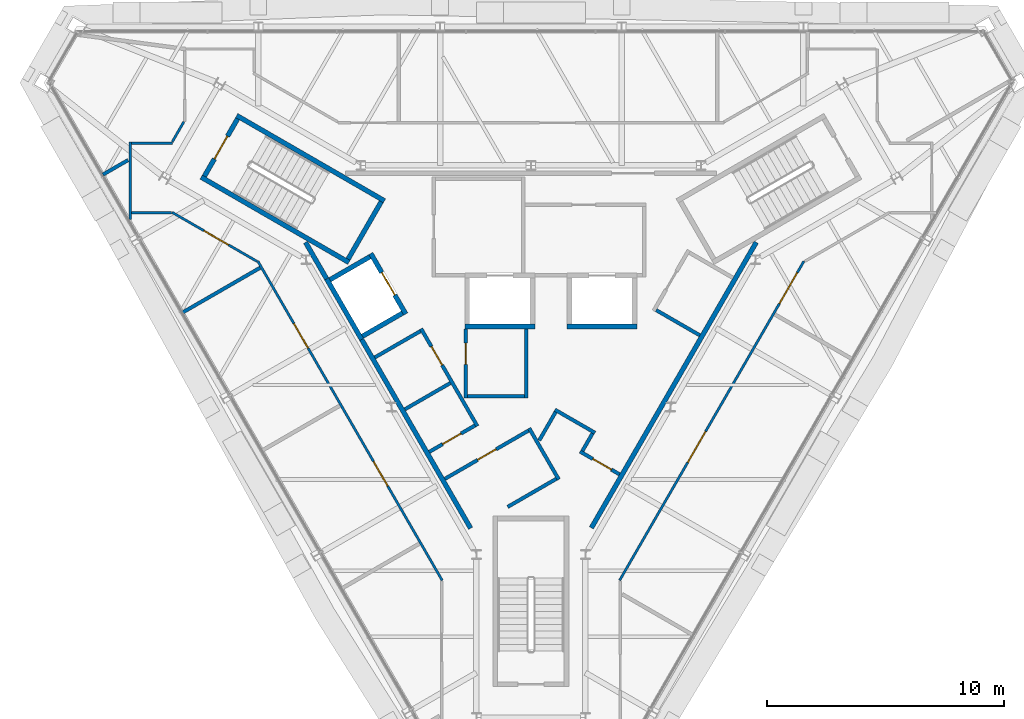
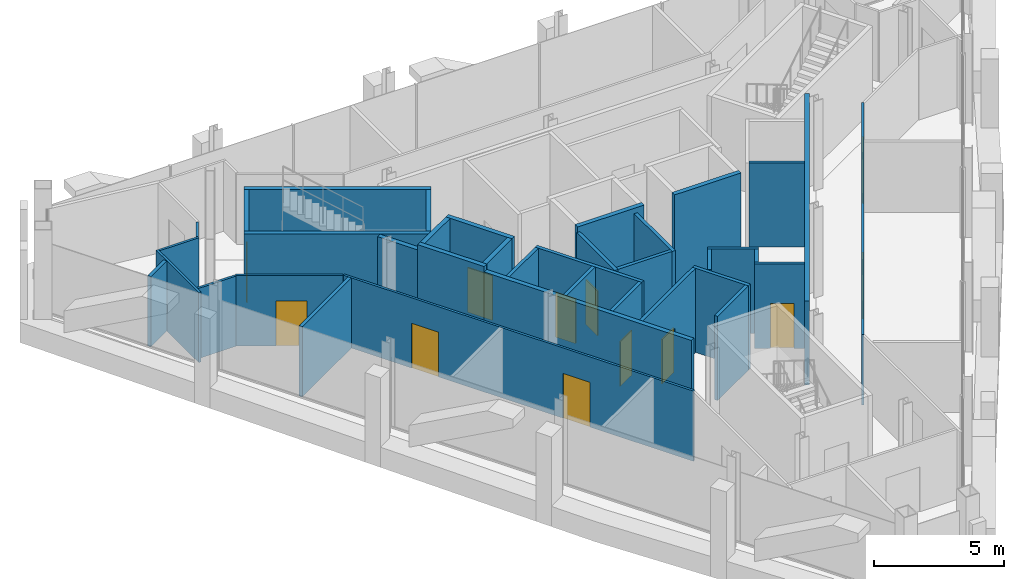
# One storey, part 9 of 13: 37 walls, 12 doors, 12 openings.
"""IFC4 building model written with IfcOpenShell, lengths in metres."""

from ifc_helpers import new_model, si_unit, direction, frame, frame_2d, origin, place, context, subcontext, project, spatial, rectangle, extrude, material, layer, layer_set, type_object, element, fill, save


model = new_model("IFC4")

# Units and contexts
model_context = context("Model", 3, precision=1e-05, world=origin(), true_north=direction((0.0, 1.0)))
body_context = subcontext(model_context, "Body", "Model", "MODEL_VIEW")
ifc_project = project(units=[si_unit("LENGTHUNIT", "METRE"), si_unit("AREAUNIT", "SQUARE_METRE"), si_unit("VOLUMEUNIT", "CUBIC_METRE"), si_unit("PLANEANGLEUNIT", "RADIAN"), si_unit("MASSUNIT", "GRAM", prefix="KILO")], contexts=[model_context])

# Site, building, storey
site_placement = place(None, origin())
site = spatial("IfcSite", under=ifc_project, at=site_placement, CompositionType="ELEMENT")
building_placement = place(site_placement, origin())
building = spatial("IfcBuilding", under=site, at=building_placement, Name="Verrane Prism Tower", CompositionType="ELEMENT")
storey_placement = place(building_placement, frame((0.0, 0.0, 325.199951171875)))
storey = spatial("IfcBuildingStorey", under=building, at=storey_placement, Name="L82", CompositionType="ELEMENT", Elevation=325.199951171875)

# Walls
ifc_material_1 = material(Name="Gypsum board partition", Category="other")
ifc_layer_1 = layer(ifc_material_1, 0.199951171875)
ifc_layer_set_1 = layer_set([ifc_layer_1], Name="CW-200 core boundary wall 2 h")
wall_type_1 = type_object("IfcWallType", Name="CW-200 core boundary wall 2 h", PredefinedType="PARTITIONING", material=ifc_layer_set_1)
wall_1_placement = place(storey_placement, frame((-9.509033203125, 3.550537109375, 0.0), z_axis=(0.0, 0.0, 1.0), x_axis=(0.499999136801, -0.866025902152, 0.0)))
element("IfcWall", 1, at=wall_1_placement, inside=storey, type_object=wall_type_1, Name="Core boundary wall CW3-001", PredefinedType="PARTITIONING", context=body_context, shape_type="SweptSolid", body=[
    extrude(rectangle(XDim=1.7822265625, YDim=0.199951171875, at=frame_2d((0.89111328125, 0.0))), origin(), (0.0, 0.0, 1.0), 3.949951171875),
])
wall_2_placement = place(storey_placement, frame((-7.14111328125, -0.551025390625, 0.0), z_axis=(0.0, 0.0, 1.0), x_axis=(0.499992795234, -0.866029563418, 0.0)))
element("IfcWall", 2, at=wall_2_placement, inside=storey, type_object=wall_type_1, Name="Core boundary wall CW3-003", PredefinedType="PARTITIONING", context=body_context, shape_type="SweptSolid", body=[
    extrude(rectangle(XDim=9.198486328125, YDim=0.199951171875, at=frame_2d((4.59912109375, 0.0))), origin(), (0.0, 0.0, 1.0), 3.949951171875),
])
wall_3_placement = place(storey_placement, frame((2.552001953125, -8.5, 0.0), z_axis=(0.0, 0.0, 1.0), x_axis=(0.499981156672, 0.866036282712, 0.0)))
element("IfcWall", 3, at=wall_3_placement, inside=storey, type_object=wall_type_1, Name="Core boundary wall CW3-004", PredefinedType="PARTITIONING", context=body_context, shape_type="SweptSolid", body=[
    extrude(rectangle(XDim=13.91455078125, YDim=0.199951171875, at=frame_2d((6.957275390625, 0.0))), origin(), (0.0, 0.0, 1.0), 3.949951171875),
])

# Wall, opening, door
ifc_material_2 = material(Name="Concrete C40/50", Category="concrete")
ifc_layer_2 = layer(ifc_material_2, 0.199951171875)
ifc_layer_set_2 = layer_set([ifc_layer_2], Name="CW-200 stair core wall concrete C40/50 3 h")
wall_type_2 = type_object("IfcWallType", Name="CW-200 stair core wall concrete C40/50 3 h", PredefinedType="PARTITIONING", material=ifc_layer_set_2)
wall_4_placement = place(storey_placement, frame((-12.376953125, 8.762451171875, 0.0), z_axis=(0.0, 0.0, 1.0), x_axis=(-0.500049511043, -0.865996816683, 0.0)))
wall_4 = element("IfcWall", 4, at=wall_4_placement, inside=storey, type_object=wall_type_2, Name="Stair 2 enclosure wall", PredefinedType="PARTITIONING", context=body_context, shape_type="SweptSolid", body=[
    extrude(rectangle(XDim=2.800048828125, YDim=0.199951171875, at=frame_2d((1.39990234375, 0.0))), origin(), (0.0, 0.0, 1.0), 3.949951171875),
])
opening_1_placement = place(wall_4_placement, frame((0.849853515625, 0.0, 0.0)))
opening_1 = element("IfcOpeningElement", 5, at=opening_1_placement, cuts=wall_4, Name="Opening D82501", PredefinedType="OPENING", context=body_context, shape_type="SweptSolid", body=[
    extrude(rectangle(XDim=1.10009765625, YDim=2.10009765625, at=frame_2d((0.550048828125, 1.050048828125))), frame((0.0, 0.10986328125, 0.0), z_axis=(0.0, -1.0, 0.0), x_axis=(1.0, 0.0, 0.0)), (0.0, 0.0, 1.0), 0.219970703125),
])
ifc_material_3 = material(Name="Timber veneered door leaf", Category="wood")
door_type_1 = type_object("IfcDoorType", Name="DR-1100x2100 FD90 single leaf stair", OperationType="NOTDEFINED", PredefinedType="DOOR", material=ifc_material_3)
door_1_placement = place(opening_1_placement, origin())
door_1 = element("IfcDoor", 6, at=door_1_placement, inside=storey, type_object=door_type_1, Name="Stair 2 door", OperationType="SINGLE_SWING_RIGHT", OverallHeight=2.10009765625, OverallWidth=1.10009765625, PredefinedType="DOOR", context=body_context, shape_type="SweptSolid", body=[
    extrude(rectangle(XDim=1.10009765625, YDim=2.10009765625, at=frame_2d((0.550048828125, 1.050048828125))), frame((0.0, 0.02490234375, 0.0), z_axis=(0.0, -1.0, 0.0), x_axis=(1.0, 0.0, 0.0)), (0.0, 0.0, 1.0), 0.050048828125),
])
fill(opening_1, door_1)

# Walls
for number, where, z_axis, x_axis, name in (
    (7, (-7.67822265625, 2.700927734375, 0.0), (0.0, 0.0, 1.0), (-0.866018442252, 0.500012057535, 0.0), "Stair 2 enclosure wall"),
    (8, (-6.17822265625, 5.299072265625, 0.0), (0.0, 0.0, 1.0), (-0.866033125095, 0.499986626058, 0.0), "Stair 2 enclosure wall"),
):
    element("IfcWall", number, at=place(storey_placement, frame(where, z_axis=z_axis, x_axis=x_axis)), inside=storey, type_object=wall_type_2, Name=name, PredefinedType="PARTITIONING", context=body_context, shape_type="SweptSolid", body=[
        extrude(rectangle(XDim=7.199951171875, YDim=0.199951171875, at=frame_2d((3.60009765625, 0.0))), origin(), (0.0, 0.0, 1.0), 3.949951171875),
    ])
wall_5_placement = place(storey_placement, frame((-6.314697265625, 5.262451171875, 0.0), z_axis=(0.0, 0.0, 1.0), x_axis=(-0.500049511043, -0.865996816683, 0.0)))
element("IfcWall", 9, at=wall_5_placement, inside=storey, type_object=wall_type_2, Name="Stair 2 enclosure wall", PredefinedType="PARTITIONING", context=body_context, shape_type="SweptSolid", body=[
    extrude(rectangle(XDim=2.800048828125, YDim=0.199951171875, at=frame_2d((1.39990234375, 0.0))), origin(), (0.0, 0.0, 1.0), 3.949951171875),
])
ifc_material_4 = material(Name="Gypsum board shaft wall assembly", Category="other")
ifc_layer_3 = layer(ifc_material_4, 0.199951171875)
ifc_layer_set_3 = layer_set([ifc_layer_3], Name="HW-200 lift shaft wall 2 h")
wall_type_3 = type_object("IfcWallType", Name="HW-200 lift shaft wall 2 h", PredefinedType="PARTITIONING", material=ifc_layer_set_3)
wall_6_placement = place(storey_placement, frame((-2.784912109375, 0.0, 0.0), z_axis=(0.0, 0.0, 1.0), x_axis=(1.0, 0.0, 0.0)))
element("IfcWall", 10, at=wall_6_placement, inside=storey, type_object=wall_type_3, Name="Lift shaft wall", PredefinedType="PARTITIONING", context=body_context, shape_type="SweptSolid", body=[
    extrude(rectangle(XDim=2.949951171875, YDim=0.199951171875, at=frame_2d((1.47509765625, 0.0))), origin(), (0.0, 0.0, 1.0), 4.199951171875),
])
wall_7_placement = place(storey_placement, frame((1.52490234375, 0.0, 0.0), z_axis=(0.0, 0.0, 1.0), x_axis=(1.0, 0.0, 0.0)))
element("IfcWall", 11, at=wall_7_placement, inside=storey, type_object=wall_type_3, Name="Lift shaft wall", PredefinedType="PARTITIONING", context=body_context, shape_type="SweptSolid", body=[
    extrude(rectangle(XDim=2.9501953125, YDim=0.199951171875, at=frame_2d((1.47509765625, 0.0))), origin(), (0.0, 0.0, 1.0), 4.199951171875),
])
for number, where, z_axis, x_axis, name in (
    (12, (-7.10546875, -0.4130859375, 0.0), (0.0, 0.0, 1.0), (0.866000020948, 0.500043961785, 0.0), "Lift shaft wall"),
    (13, (-8.48046875, 1.968505859375, 0.0), (0.0, 0.0, 1.0), (0.866000020948, 0.500043961785, 0.0), "Lift shaft wall"),
):
    element("IfcWall", number, at=place(storey_placement, frame(where, z_axis=z_axis, x_axis=x_axis)), inside=storey, type_object=wall_type_3, Name=name, PredefinedType="PARTITIONING", context=body_context, shape_type="SweptSolid", body=[
        extrude(rectangle(XDim=1.949951171875, YDim=0.199951171875, at=frame_2d((0.97509765625, 0.0))), origin(), (0.0, 0.0, 1.0), 4.199951171875),
    ])

# Wall, opening, door
wall_8_placement = place(storey_placement, frame((-5.280029296875, 0.525390625, 0.0), z_axis=(0.0, 0.0, 1.0), x_axis=(-0.500037662692, 0.866003658127, 0.0)))
wall_8 = element("IfcWall", 14, at=wall_8_placement, inside=storey, type_object=wall_type_3, Name="Lift shaft wall", PredefinedType="PARTITIONING", context=body_context, shape_type="SweptSolid", body=[
    extrude(rectangle(XDim=2.949951171875, YDim=0.199951171875, at=frame_2d((1.47509765625, 0.0))), origin(), (0.0, 0.0, 1.0), 4.199951171875),
])
opening_2_placement = place(wall_8_placement, frame((0.925048828125, 0.0, 0.0)))
opening_2 = element("IfcOpeningElement", 15, at=opening_2_placement, cuts=wall_8, Name="Opening D82505", PredefinedType="OPENING", context=body_context, shape_type="SweptSolid", body=[
    extrude(rectangle(XDim=1.10009765625, YDim=2.10009765625, at=frame_2d((0.550048828125, 1.050048828125))), frame((0.0, 0.10986328125, 0.0), z_axis=(0.0, -1.0, 0.0), x_axis=(1.0, 0.0, 0.0)), (0.0, 0.0, 1.0), 0.219970703125),
])
ifc_material_5 = material(Name="Stainless steel sliding landing door", Category="steel")
door_type_2 = type_object("IfcDoorType", Name="LD-1100x2100 lift landing door FD90 sliding", OperationType="NOTDEFINED", PredefinedType="DOOR", material=ifc_material_5)
door_2_placement = place(opening_2_placement, origin())
door_2 = element("IfcDoor", 16, at=door_2_placement, inside=storey, type_object=door_type_2, Name="Service lift 1 landing door", OperationType="SLIDING_TO_LEFT", OverallHeight=2.10009765625, OverallWidth=1.10009765625, PredefinedType="DOOR", context=body_context, shape_type="SweptSolid", body=[
    extrude(rectangle(XDim=1.10009765625, YDim=2.10009765625, at=frame_2d((0.550048828125, 1.050048828125))), frame((0.0, 0.02490234375, 0.0), z_axis=(0.0, -1.0, 0.0), x_axis=(1.0, 0.0, 0.0)), (0.0, 0.0, 1.0), 0.050048828125),
])
fill(opening_2, door_2)

# Walls
wall_9_placement = place(storey_placement, frame((-7.14208984375, -0.549560546875, 0.0), z_axis=(0.0, 0.0, 1.0), x_axis=(-0.49997559174, 0.866039495442, 0.0)))
element("IfcWall", 17, at=wall_9_placement, inside=storey, type_object=wall_type_3, Name="Lift shaft wall", PredefinedType="PARTITIONING", context=body_context, shape_type="SweptSolid", body=[
    extrude(rectangle(XDim=2.949951171875, YDim=0.199951171875, at=frame_2d((1.47509765625, 0.0))), origin(), (0.0, 0.0, 1.0), 4.199951171875),
])
ifc_material_6 = material(Name="Gypsum board partition", Category="other")
ifc_layer_4 = layer(ifc_material_6, 0.10009765625)
ifc_layer_set_4 = layer_set([ifc_layer_4], Name="PW-100 crown corridor wall 1 h")
wall_type_4 = type_object("IfcWallType", Name="PW-100 crown corridor wall 1 h", PredefinedType="PARTITIONING", material=ifc_layer_set_4)
wall_10_placement = place(storey_placement, frame((-16.908935546875, 4.506591796875, 0.0), z_axis=(0.0, 0.0, 1.0), x_axis=(0.0, 1.0, 0.0)))
element("IfcWall", 18, at=wall_10_placement, inside=storey, type_object=wall_type_4, Name="Corridor wall 003", PredefinedType="PARTITIONING", context=body_context, shape_type="SweptSolid", body=[
    extrude(rectangle(XDim=3.2724609375, YDim=0.10009765625, at=frame_2d((1.63623046875, 0.0))), origin(), (0.0, 0.0, 1.0), 3.297119140625),
])
wall_11_placement = place(storey_placement, frame((-16.85888671875, 4.791015625, 0.0), z_axis=(0.0, 0.0, 1.0), x_axis=(1.0, 0.0, 0.0)))
element("IfcWall", 19, at=wall_11_placement, inside=storey, type_object=wall_type_4, Name="Corridor wall 004", PredefinedType="PARTITIONING", context=body_context, shape_type="SweptSolid", body=[
    extrude(rectangle(XDim=1.69091796875, YDim=0.10009765625, at=frame_2d((0.845458984375, 0.0))), origin(), (0.0, 0.0, 1.0), 3.297119140625),
])
wall_12_placement = place(storey_placement, frame((-16.85888671875, 7.72900390625, 0.0), z_axis=(0.0, 0.0, 1.0), x_axis=(1.0, 0.0, 0.0)))
element("IfcWall", 20, at=wall_12_placement, inside=storey, type_object=wall_type_4, Name="Corridor wall 005", PredefinedType="PARTITIONING", context=body_context, shape_type="SweptSolid", body=[
    extrude(rectangle(XDim=1.741943359375, YDim=0.10009765625, at=frame_2d((0.87109375, 0.0))), origin(), (0.0, 0.0, 1.0), 3.297119140625),
])
wall_13_placement = place(storey_placement, frame((-15.132080078125, 7.78955078125, 0.0), z_axis=(0.0, 0.0, 1.0), x_axis=(0.499823463829, 0.866127303003, 0.0)))
element("IfcWall", 21, at=wall_13_placement, inside=storey, type_object=wall_type_4, Name="Corridor wall 006", PredefinedType="PARTITIONING", context=body_context, shape_type="SweptSolid", body=[
    extrude(rectangle(XDim=0.976318359375, YDim=0.10009765625, at=frame_2d((0.48828125, 0.0))), origin(), (0.0, 0.0, 1.0), 3.297119140625),
])

# Wall, opening, door
wall_14_placement = place(storey_placement, frame((-11.556640625, 2.74609375, 0.0), z_axis=(0.0, 0.0, 1.0), x_axis=(-0.866005840187, 0.500033883614, 0.0)))
wall_14 = element("IfcWall", 22, at=wall_14_placement, inside=storey, type_object=wall_type_4, Name="Corridor wall 007", PredefinedType="PARTITIONING", context=body_context, shape_type="SweptSolid", body=[
    extrude(rectangle(XDim=4.139404296875, YDim=0.10009765625, at=frame_2d((2.06982421875, 0.0))), origin(), (0.0, 0.0, 1.0), 3.297119140625),
])
opening_3_placement = place(wall_14_placement, frame((1.389404296875, 0.0, 0.0)))
opening_3 = element("IfcOpeningElement", 23, at=opening_3_placement, cuts=wall_14, Name="Opening D82005", PredefinedType="OPENING", context=body_context, shape_type="SweptSolid", body=[
    extrude(rectangle(XDim=1.199951171875, YDim=2.10009765625, at=frame_2d((0.60009765625, 1.050048828125))), frame((0.0, 0.06005859375, 0.0), z_axis=(0.0, -1.0, 0.0), x_axis=(1.0, 0.0, 0.0)), (0.0, 0.0, 1.0), 0.1201171875),
])
ifc_material_7 = material(Name="Timber veneered door leaf", Category="wood")
door_type_3 = type_object("IfcDoorType", Name="DR-1200x2100 FD60 single leaf unit", OperationType="NOTDEFINED", PredefinedType="DOOR", material=ifc_material_7)
door_3_placement = place(opening_3_placement, origin())
door_3 = element("IfcDoor", 24, at=door_3_placement, inside=storey, type_object=door_type_3, Name="Building Maintenance Unit Room door", OperationType="SINGLE_SWING_RIGHT", OverallHeight=2.10009765625, OverallWidth=1.199951171875, PredefinedType="DOOR", context=body_context, shape_type="SweptSolid", body=[
    extrude(rectangle(XDim=1.199951171875, YDim=2.10009765625, at=frame_2d((0.60009765625, 1.050048828125))), frame((0.0, 0.02490234375, 0.0), z_axis=(0.0, -1.0, 0.0), x_axis=(1.0, 0.0, 0.0)), (0.0, 0.0, 1.0), 0.050048828125),
])
fill(opening_3, door_3)

# Wall, openings, doors
wall_15_placement = place(storey_placement, frame((-3.743896484375, -10.71435546875, 0.0), z_axis=(0.0, 0.0, 1.0), x_axis=(-0.500044034969, 0.86599997869, 0.0)))
wall_15 = element("IfcWall", 25, at=wall_15_placement, inside=storey, type_object=wall_type_4, Name="Corridor wall 013", PredefinedType="PARTITIONING", context=body_context, shape_type="SweptSolid", body=[
    extrude(rectangle(XDim=15.552734375, YDim=0.10009765625, at=frame_2d((7.7763671875, 0.0))), origin(), (0.0, 0.0, 1.0), 3.297119140625),
])
opening_4_placement = place(wall_15_placement, frame((11.313720703125, 0.0, 0.0)))
opening_4 = element("IfcOpeningElement", 26, at=opening_4_placement, cuts=wall_15, Name="Opening D82006", PredefinedType="OPENING", context=body_context, shape_type="SweptSolid", body=[
    extrude(rectangle(XDim=1.199951171875, YDim=2.10009765625, at=frame_2d((0.60009765625, 1.050048828125))), frame((0.0, 0.06005859375, 0.0), z_axis=(0.0, -1.0, 0.0), x_axis=(1.0, 0.0, 0.0)), (0.0, 0.0, 1.0), 0.1201171875),
])
opening_5_placement = place(wall_15_placement, frame((4.5927734375, 0.0, 0.0)))
opening_5 = element("IfcOpeningElement", 27, at=opening_5_placement, cuts=wall_15, Name="Opening D82007", PredefinedType="OPENING", context=body_context, shape_type="SweptSolid", body=[
    extrude(rectangle(XDim=1.199951171875, YDim=2.10009765625, at=frame_2d((0.60009765625, 1.050048828125))), frame((0.0, 0.06005859375, 0.0), z_axis=(0.0, -1.0, 0.0), x_axis=(1.0, 0.0, 0.0)), (0.0, 0.0, 1.0), 0.1201171875),
])
door_4_placement = place(opening_4_placement, origin())
door_4 = element("IfcDoor", 28, at=door_4_placement, inside=storey, type_object=door_type_3, Name="Building Maintenance Unit Room door", OperationType="SINGLE_SWING_LEFT", OverallHeight=2.10009765625, OverallWidth=1.199951171875, PredefinedType="DOOR", context=body_context, shape_type="SweptSolid", body=[
    extrude(rectangle(XDim=1.199951171875, YDim=2.10009765625, at=frame_2d((0.60009765625, 1.050048828125))), frame((0.0, 0.02490234375, 0.0), z_axis=(0.0, -1.0, 0.0), x_axis=(1.0, 0.0, 0.0)), (0.0, 0.0, 1.0), 0.050048828125),
])
fill(opening_4, door_4)
door_5_placement = place(opening_5_placement, origin())
door_5 = element("IfcDoor", 29, at=door_5_placement, inside=storey, type_object=door_type_3, Name="Building Maintenance Unit Room door", OperationType="SINGLE_SWING_RIGHT", OverallHeight=2.10009765625, OverallWidth=1.199951171875, PredefinedType="DOOR", context=body_context, shape_type="SweptSolid", body=[
    extrude(rectangle(XDim=1.199951171875, YDim=2.10009765625, at=frame_2d((0.60009765625, 1.050048828125))), frame((0.0, 0.02490234375, 0.0), z_axis=(0.0, -1.0, 0.0), x_axis=(1.0, 0.0, 0.0)), (0.0, 0.0, 1.0), 0.050048828125),
])
fill(opening_5, door_5)

wall_16_placement = place(storey_placement, frame((11.52099609375, 2.75439453125, 0.0), z_axis=(0.0, 0.0, 1.0), x_axis=(-0.500044034969, -0.86599997869, 0.0)))
wall_16 = element("IfcWall", 30, at=wall_16_placement, inside=storey, type_object=wall_type_4, Name="Corridor wall 024", PredefinedType="PARTITIONING", context=body_context, shape_type="SweptSolid", body=[
    extrude(rectangle(XDim=15.552734375, YDim=0.10009765625, at=frame_2d((7.7763671875, 0.0))), origin(), (0.0, 0.0, 1.0), 3.297119140625),
])
opening_6_placement = place(wall_16_placement, frame((8.302734375, 0.0, 0.0)))
opening_6 = element("IfcOpeningElement", 31, at=opening_6_placement, cuts=wall_16, Name="Opening D82011", PredefinedType="OPENING", context=body_context, shape_type="SweptSolid", body=[
    extrude(rectangle(XDim=1.5, YDim=2.10009765625, at=frame_2d((0.75, 1.050048828125))), frame((0.0, 0.06005859375, 0.0), z_axis=(0.0, -1.0, 0.0), x_axis=(1.0, 0.0, 0.0)), (0.0, 0.0, 1.0), 0.1201171875),
])
opening_7_placement = place(wall_16_placement, frame((0.560546875, 0.0, 0.0)))
opening_7 = element("IfcOpeningElement", 32, at=opening_7_placement, cuts=wall_16, Name="Opening D82012", PredefinedType="OPENING", context=body_context, shape_type="SweptSolid", body=[
    extrude(rectangle(XDim=1.5, YDim=2.10009765625, at=frame_2d((0.75, 1.050048828125))), frame((0.0, 0.06005859375, 0.0), z_axis=(0.0, -1.0, 0.0), x_axis=(1.0, 0.0, 0.0)), (0.0, 0.0, 1.0), 0.1201171875),
])
ifc_material_8 = material(Name="Timber veneered door leaf", Category="wood")
door_type_4 = type_object("IfcDoorType", Name="DR-1500x2100 FD60 double leaf unit", OperationType="NOTDEFINED", PredefinedType="DOOR", material=ifc_material_8)
door_6_placement = place(opening_6_placement, origin())
door_6 = element("IfcDoor", 33, at=door_6_placement, inside=storey, type_object=door_type_4, Name="Mechanical Plant Room door", OperationType="DOUBLE_DOOR_SINGLE_SWING", OverallHeight=2.10009765625, OverallWidth=1.5, PredefinedType="DOOR", context=body_context, shape_type="SweptSolid", body=[
    extrude(rectangle(XDim=1.5, YDim=2.10009765625, at=frame_2d((0.75, 1.050048828125))), frame((0.0, 0.02490234375, 0.0), z_axis=(0.0, -1.0, 0.0), x_axis=(1.0, 0.0, 0.0)), (0.0, 0.0, 1.0), 0.050048828125),
])
fill(opening_6, door_6)
door_7_placement = place(opening_7_placement, origin())
door_7 = element("IfcDoor", 34, at=door_7_placement, inside=storey, type_object=door_type_4, Name="Mechanical Plant Room door", OperationType="DOUBLE_DOOR_SINGLE_SWING", OverallHeight=2.10009765625, OverallWidth=1.5, PredefinedType="DOOR", context=body_context, shape_type="SweptSolid", body=[
    extrude(rectangle(XDim=1.5, YDim=2.10009765625, at=frame_2d((0.75, 1.050048828125))), frame((0.0, 0.02490234375, 0.0), z_axis=(0.0, -1.0, 0.0), x_axis=(1.0, 0.0, 0.0)), (0.0, 0.0, 1.0), 0.050048828125),
])
fill(opening_7, door_7)

# Walls
ifc_material_9 = material(Name="Gypsum board partition", Category="other")
ifc_layer_5 = layer(ifc_material_9, 0.14990234375)
ifc_layer_set_5 = layer_set([ifc_layer_5], Name="PW-150 demising wall 1 h")
wall_type_5 = type_object("IfcWallType", Name="PW-150 demising wall 1 h", PredefinedType="PARTITIONING", material=ifc_layer_set_5)
wall_17_placement = place(storey_placement, frame((-18.0556640625, 6.407958984375, 0.0), z_axis=(0.0, 0.0, 1.0), x_axis=(0.865986110686, 0.500068051468, 0.0)))
element("IfcWall", 35, at=wall_17_placement, inside=storey, type_object=wall_type_5, Name="Demising wall 002", PredefinedType="PARTITIONING", context=body_context, shape_type="SweptSolid", body=[
    extrude(rectangle(XDim=1.222900390625, YDim=0.14990234375, at=frame_2d((0.611328125, 0.0))), origin(), (0.0, 0.0, 1.0), 3.297119140625),
])
wall_18_placement = place(storey_placement, frame((-14.69580078125, 0.588134765625, 0.0), z_axis=(0.0, 0.0, 1.0), x_axis=(0.866115649152, 0.499843657852, 0.0)))
element("IfcWall", 36, at=wall_18_placement, inside=storey, type_object=wall_type_5, Name="Demising wall 010", PredefinedType="PARTITIONING", context=body_context, shape_type="SweptSolid", body=[
    extrude(rectangle(XDim=3.778076171875, YDim=0.14990234375, at=frame_2d((1.88916015625, 0.0))), origin(), (0.0, 0.0, 1.0), 3.297119140625),
])
ifc_material_10 = material(Name="Gypsum board partition", Category="other")
ifc_layer_6 = layer(ifc_material_10, 0.14990234375)
ifc_layer_set_6 = layer_set([ifc_layer_6], Name="RS-150 riser enclosure wall 1 h")
wall_type_6 = type_object("IfcWallType", Name="RS-150 riser enclosure wall 1 h", PredefinedType="PARTITIONING", material=ifc_layer_set_6)
wall_19_placement = place(storey_placement, frame((-6.58740234375, -1.30908203125, 0.0), z_axis=(0.0, 0.0, 1.0), x_axis=(0.865971748, 0.500092923031, 0.0)))
element("IfcWall", 37, at=wall_19_placement, inside=storey, type_object=wall_type_6, Name="Riser wall RS3-001", PredefinedType="PARTITIONING", context=body_context, shape_type="SweptSolid", body=[
    extrude(rectangle(XDim=2.224609375, YDim=0.14990234375, at=frame_2d((1.1123046875, 0.0))), origin(), (0.0, 0.0, 1.0), 3.949951171875),
])
wall_20_placement = place(storey_placement, frame((-5.319091796875, -3.49755859375, 0.0), z_axis=(0.0, 0.0, 1.0), x_axis=(0.866044287926, 0.499967290281, 0.0)))
element("IfcWall", 38, at=wall_20_placement, inside=storey, type_object=wall_type_6, Name="Riser wall RS3-002", PredefinedType="PARTITIONING", context=body_context, shape_type="SweptSolid", body=[
    extrude(rectangle(XDim=2.215576171875, YDim=0.14990234375, at=frame_2d((1.10791015625, 0.0))), origin(), (0.0, 0.0, 1.0), 3.949951171875),
])

# Wall, opening, door
wall_21_placement = place(storey_placement, frame((-2.258544921875, -4.2080078125, 0.0), z_axis=(0.0, 0.0, 1.0), x_axis=(-0.49996417568, 0.866046085977, 0.0)))
wall_21 = element("IfcWall", 39, at=wall_21_placement, inside=storey, type_object=wall_type_6, Name="Riser wall RS3-003", PredefinedType="PARTITIONING", context=body_context, shape_type="SweptSolid", body=[
    extrude(rectangle(XDim=4.750244140625, YDim=0.14990234375, at=frame_2d((2.375, 0.0))), origin(), (0.0, 0.0, 1.0), 3.949951171875),
])
opening_8_placement = place(wall_21_placement, frame((2.975341796875, 0.0, 0.0)))
opening_8 = element("IfcOpeningElement", 40, at=opening_8_placement, cuts=wall_21, Name="Opening D82507", PredefinedType="OPENING", context=body_context, shape_type="SweptSolid", body=[
    extrude(rectangle(XDim=0.89990234375, YDim=2.10009765625, at=frame_2d((0.449951171875, 1.050048828125))), frame((0.0, 0.0849609375, 0.0), z_axis=(0.0, -1.0, 0.0), x_axis=(1.0, 0.0, 0.0)), (0.0, 0.0, 1.0), 0.169921875),
])
ifc_material_11 = material(Name="Timber veneered door leaf", Category="wood")
door_type_5 = type_object("IfcDoorType", Name="DR-900x2100 FD60 single leaf riser", OperationType="NOTDEFINED", PredefinedType="DOOR", material=ifc_material_11)
door_8_placement = place(opening_8_placement, origin())
door_8 = element("IfcDoor", 41, at=door_8_placement, inside=storey, type_object=door_type_5, Name="Riser door D82507", OperationType="SINGLE_SWING_RIGHT", OverallHeight=2.10009765625, OverallWidth=0.89990234375, PredefinedType="DOOR", context=body_context, shape_type="SweptSolid", body=[
    extrude(rectangle(XDim=0.89990234375, YDim=2.10009765625, at=frame_2d((0.449951171875, 1.050048828125))), frame((0.0, 0.02490234375, 0.0), z_axis=(0.0, -1.0, 0.0), x_axis=(1.0, 0.0, 0.0)), (0.0, 0.0, 1.0), 0.050048828125),
])
fill(opening_8, door_8)

wall_22_placement = place(storey_placement, frame((-4.2841796875, -5.29052734375, 0.0), z_axis=(0.0, 0.0, 1.0), x_axis=(0.866090396616, 0.499887412213, 0.0)))
wall_22 = element("IfcWall", 42, at=wall_22_placement, inside=storey, type_object=wall_type_6, Name="Riser wall RS3-004", PredefinedType="PARTITIONING", context=body_context, shape_type="SweptSolid", body=[
    extrude(rectangle(XDim=2.220703125, YDim=0.14990234375, at=frame_2d((1.1103515625, 0.0))), origin(), (0.0, 0.0, 1.0), 3.949951171875),
])
opening_9_placement = place(wall_22_placement, frame((0.64501953125, 0.0, 0.0)))
opening_9 = element("IfcOpeningElement", 43, at=opening_9_placement, cuts=wall_22, Name="Opening D82508", PredefinedType="OPENING", context=body_context, shape_type="SweptSolid", body=[
    extrude(rectangle(XDim=0.89990234375, YDim=2.10009765625, at=frame_2d((0.449951171875, 1.050048828125))), frame((0.0, 0.0849609375, 0.0), z_axis=(0.0, -1.0, 0.0), x_axis=(1.0, 0.0, 0.0)), (0.0, 0.0, 1.0), 0.169921875),
])
door_9_placement = place(opening_9_placement, origin())
door_9 = element("IfcDoor", 44, at=door_9_placement, inside=storey, type_object=door_type_5, Name="Riser door D82508", OperationType="SINGLE_SWING_RIGHT", OverallHeight=2.10009765625, OverallWidth=0.89990234375, PredefinedType="DOOR", context=body_context, shape_type="SweptSolid", body=[
    extrude(rectangle(XDim=0.89990234375, YDim=2.10009765625, at=frame_2d((0.449951171875, 1.050048828125))), frame((0.0, 0.02490234375, 0.0), z_axis=(0.0, -1.0, 0.0), x_axis=(1.0, 0.0, 0.0)), (0.0, 0.0, 1.0), 0.050048828125),
])
fill(opening_9, door_9)

wall_23_placement = place(storey_placement, frame((-0.10107421875, -4.39453125, 0.0), z_axis=(0.0, 0.0, 1.0), x_axis=(-0.866045745349, -0.499964765721, 0.0)))
wall_23 = element("IfcWall", 45, at=wall_23_placement, inside=storey, type_object=wall_type_6, Name="Riser wall RS3-005", PredefinedType="PARTITIONING", context=body_context, shape_type="SweptSolid", body=[
    extrude(rectangle(XDim=4.070068359375, YDim=0.14990234375, at=frame_2d((2.03515625, 0.0))), origin(), (0.0, 0.0, 1.0), 3.949951171875),
])
opening_10_placement = place(wall_23_placement, frame((1.575439453125, 0.0, 0.0)))
opening_10 = element("IfcOpeningElement", 46, at=opening_10_placement, cuts=wall_23, Name="Opening D82510", PredefinedType="OPENING", context=body_context, shape_type="SweptSolid", body=[
    extrude(rectangle(XDim=0.89990234375, YDim=2.10009765625, at=frame_2d((0.449951171875, 1.050048828125))), frame((0.0, 0.0849609375, 0.0), z_axis=(0.0, -1.0, 0.0), x_axis=(1.0, 0.0, 0.0)), (0.0, 0.0, 1.0), 0.169921875),
])
ifc_material_12 = material(Name="Timber veneered door leaf", Category="wood")
door_type_6 = type_object("IfcDoorType", Name="DR-900x2100 FD20 single leaf store", OperationType="NOTDEFINED", PredefinedType="DOOR", material=ifc_material_12)
door_10_placement = place(opening_10_placement, origin())
door_10 = element("IfcDoor", 47, at=door_10_placement, inside=storey, type_object=door_type_6, Name="Room door D82510", OperationType="SINGLE_SWING_LEFT", OverallHeight=2.10009765625, OverallWidth=0.89990234375, PredefinedType="DOOR", context=body_context, shape_type="SweptSolid", body=[
    extrude(rectangle(XDim=0.89990234375, YDim=2.10009765625, at=frame_2d((0.449951171875, 1.050048828125))), frame((0.0, 0.02490234375, 0.0), z_axis=(0.0, -1.0, 0.0), x_axis=(1.0, 0.0, 0.0)), (0.0, 0.0, 1.0), 0.050048828125),
])
fill(opening_10, door_10)

wall_24_placement = place(storey_placement, frame((-2.7548828125, -0.10205078125, 0.0), z_axis=(0.0, 0.0, 1.0), x_axis=(0.0, -1.0, 0.0)))
wall_24 = element("IfcWall", 48, at=wall_24_placement, inside=storey, type_object=wall_type_6, Name="Riser wall RS3-006", PredefinedType="PARTITIONING", context=body_context, shape_type="SweptSolid", body=[
    extrude(rectangle(XDim=2.9228515625, YDim=0.14990234375, at=frame_2d((1.46142578125, 0.0))), origin(), (0.0, 0.0, 1.0), 3.949951171875),
])
opening_11_placement = place(wall_24_placement, frame((0.597900390625, 0.0, 0.0)))
opening_11 = element("IfcOpeningElement", 49, at=opening_11_placement, cuts=wall_24, Name="Opening D82511", PredefinedType="OPENING", context=body_context, shape_type="SweptSolid", body=[
    extrude(rectangle(XDim=0.89990234375, YDim=2.10009765625, at=frame_2d((0.449951171875, 1.050048828125))), frame((0.0, 0.0849609375, 0.0), z_axis=(0.0, -1.0, 0.0), x_axis=(1.0, 0.0, 0.0)), (0.0, 0.0, 1.0), 0.169921875),
])
door_11_placement = place(opening_11_placement, origin())
door_11 = element("IfcDoor", 50, at=door_11_placement, inside=storey, type_object=door_type_6, Name="Room door D82511", OperationType="SINGLE_SWING_LEFT", OverallHeight=2.10009765625, OverallWidth=0.89990234375, PredefinedType="DOOR", context=body_context, shape_type="SweptSolid", body=[
    extrude(rectangle(XDim=0.89990234375, YDim=2.10009765625, at=frame_2d((0.449951171875, 1.050048828125))), frame((0.0, 0.02490234375, 0.0), z_axis=(0.0, -1.0, 0.0), x_axis=(1.0, 0.0, 0.0)), (0.0, 0.0, 1.0), 0.050048828125),
])
fill(opening_11, door_11)

# Walls
wall_25_placement = place(storey_placement, frame((-2.679931640625, -2.949951171875, 0.0), z_axis=(0.0, 0.0, 1.0), x_axis=(1.0, 0.0, 0.0)))
element("IfcWall", 51, at=wall_25_placement, inside=storey, type_object=wall_type_6, Name="Riser wall RS3-007", PredefinedType="PARTITIONING", context=body_context, shape_type="SweptSolid", body=[
    extrude(rectangle(XDim=2.39990234375, YDim=0.14990234375, at=frame_2d((1.199951171875, 0.0))), origin(), (0.0, 0.0, 1.0), 3.949951171875),
])
wall_26_placement = place(storey_placement, frame((-0.97998046875, -7.614990234375, 0.0), z_axis=(0.0, 0.0, 1.0), x_axis=(0.866081021932, 0.499903654166, 0.0)))
element("IfcWall", 52, at=wall_26_placement, inside=storey, type_object=wall_type_6, Name="Riser wall RS3-008", PredefinedType="PARTITIONING", context=body_context, shape_type="SweptSolid", body=[
    extrude(rectangle(XDim=2.37158203125, YDim=0.14990234375, at=frame_2d((1.185791015625, 0.0))), origin(), (0.0, 0.0, 1.0), 3.949951171875),
])
wall_27_placement = place(storey_placement, frame((-0.205078125, -3.02490234375, 0.0), z_axis=(0.0, 0.0, 1.0), x_axis=(0.0, 1.0, 0.0)))
element("IfcWall", 53, at=wall_27_placement, inside=storey, type_object=wall_type_6, Name="Riser wall RS3-009", PredefinedType="PARTITIONING", context=body_context, shape_type="SweptSolid", body=[
    extrude(rectangle(XDim=2.9228515625, YDim=0.14990234375, at=frame_2d((1.46142578125, 0.0))), origin(), (0.0, 0.0, 1.0), 3.949951171875),
])
wall_28_placement = place(storey_placement, frame((-0.073486328125, -4.2919921875, 0.0), z_axis=(0.0, 0.0, 1.0), x_axis=(0.500004234368, -0.866022959057, 0.0)))
element("IfcWall", 54, at=wall_28_placement, inside=storey, type_object=wall_type_6, Name="Riser wall RS3-010", PredefinedType="PARTITIONING", context=body_context, shape_type="SweptSolid", body=[
    extrude(rectangle(XDim=2.5, YDim=0.14990234375, at=frame_2d((1.25, 0.0))), origin(), (0.0, 0.0, 1.0), 3.949951171875),
])
wall_29_placement = place(storey_placement, frame((0.35400390625, -4.806396484375, 0.0), z_axis=(0.0, 0.0, 1.0), x_axis=(0.499804398801, 0.866138304741, 0.0)))
element("IfcWall", 55, at=wall_29_placement, inside=storey, type_object=wall_type_6, Name="Riser wall RS3-011", PredefinedType="PARTITIONING", context=body_context, shape_type="SweptSolid", body=[
    extrude(rectangle(XDim=1.37548828125, YDim=0.14990234375, at=frame_2d((0.687744140625, 0.0))), origin(), (0.0, 0.0, 1.0), 3.949951171875),
])
wall_30_placement = place(storey_placement, frame((1.01416015625, -3.512451171875, 0.0), z_axis=(0.0, 0.0, 1.0), x_axis=(0.866000020948, -0.500043961785, 0.0)))
element("IfcWall", 56, at=wall_30_placement, inside=storey, type_object=wall_type_6, Name="Riser wall RS3-012", PredefinedType="PARTITIONING", context=body_context, shape_type="SweptSolid", body=[
    extrude(rectangle(XDim=1.949951171875, YDim=0.14990234375, at=frame_2d((0.97509765625, 0.0))), origin(), (0.0, 0.0, 1.0), 3.949951171875),
])
wall_31_placement = place(storey_placement, frame((2.175537109375, -5.2509765625, 0.0), z_axis=(0.0, 0.0, 1.0), x_axis=(0.500062241894, 0.865989465428, 0.0)))
element("IfcWall", 57, at=wall_31_placement, inside=storey, type_object=wall_type_6, Name="Riser wall RS3-013", PredefinedType="PARTITIONING", context=body_context, shape_type="SweptSolid", body=[
    extrude(rectangle(XDim=0.85009765625, YDim=0.14990234375, at=frame_2d((0.425048828125, 0.0))), origin(), (0.0, 0.0, 1.0), 3.949951171875),
])

# Wall, opening, door
wall_32_placement = place(storey_placement, frame((3.740478515625, -6.240966796875, 0.0), z_axis=(0.0, 0.0, 1.0), x_axis=(-0.86609690551, 0.499876134923, 0.0)))
wall_32 = element("IfcWall", 58, at=wall_32_placement, inside=storey, type_object=wall_type_6, Name="Riser wall RS3-014", PredefinedType="PARTITIONING", context=body_context, shape_type="SweptSolid", body=[
    extrude(rectangle(XDim=1.92529296875, YDim=0.14990234375, at=frame_2d((0.962646484375, 0.0))), origin(), (0.0, 0.0, 1.0), 3.949951171875),
])
opening_12_placement = place(wall_32_placement, frame((0.400146484375, 0.0, 0.0)))
opening_12 = element("IfcOpeningElement", 59, at=opening_12_placement, cuts=wall_32, Name="Opening D82513", PredefinedType="OPENING", context=body_context, shape_type="SweptSolid", body=[
    extrude(rectangle(XDim=0.89990234375, YDim=2.10009765625, at=frame_2d((0.449951171875, 1.050048828125))), frame((0.0, 0.0849609375, 0.0), z_axis=(0.0, -1.0, 0.0), x_axis=(1.0, 0.0, 0.0)), (0.0, 0.0, 1.0), 0.169921875),
])
door_12_placement = place(opening_12_placement, origin())
door_12 = element("IfcDoor", 60, at=door_12_placement, inside=storey, type_object=door_type_6, Name="Room door D82513", OperationType="SINGLE_SWING_LEFT", OverallHeight=2.10009765625, OverallWidth=0.89990234375, PredefinedType="DOOR", context=body_context, shape_type="SweptSolid", body=[
    extrude(rectangle(XDim=0.89990234375, YDim=2.10009765625, at=frame_2d((0.449951171875, 1.050048828125))), frame((0.0, 0.02490234375, 0.0), z_axis=(0.0, -1.0, 0.0), x_axis=(1.0, 0.0, 0.0)), (0.0, 0.0, 1.0), 0.050048828125),
])
fill(opening_12, door_12)

# Wall
wall_33_placement = place(storey_placement, frame((5.287841796875, 0.6884765625, 0.0), z_axis=(0.0, 0.0, 1.0), x_axis=(0.8659425006, -0.500143565044, 0.0)))
element("IfcWall", 61, at=wall_33_placement, inside=storey, type_object=wall_type_6, Name="Riser wall RS3-016", PredefinedType="PARTITIONING", context=body_context, shape_type="SweptSolid", body=[
    extrude(rectangle(XDim=2.12451171875, YDim=0.14990234375, at=frame_2d((1.062255859375, 0.0))), origin(), (0.0, 0.0, 1.0), 3.949951171875),
])

save(model, "model.ifc")
